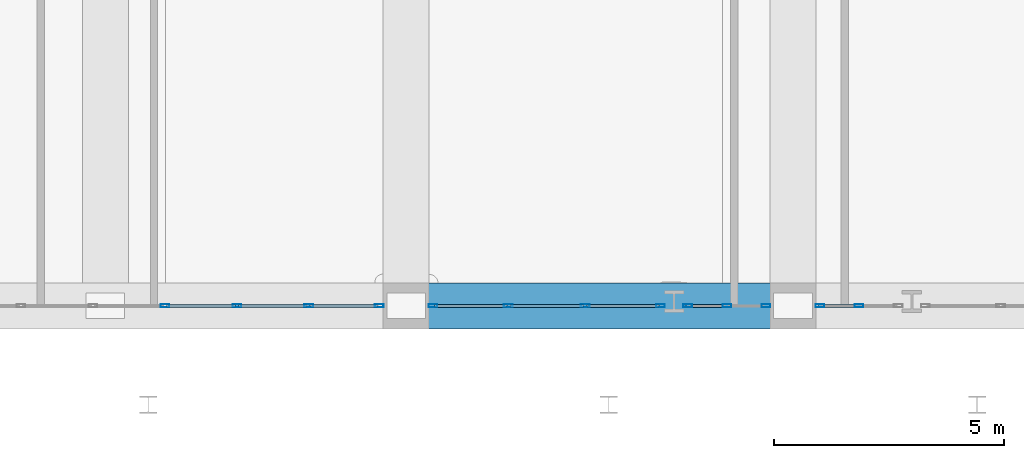
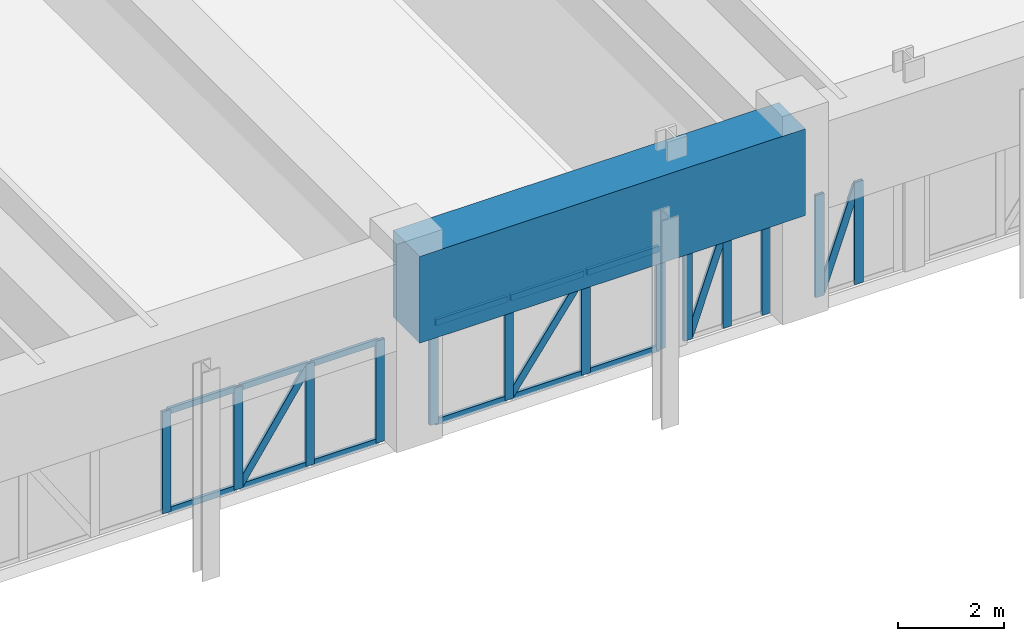
# One storey, part 7 of 44: 29 members, 1 beam, 4 elements without a shape of their own.
"""IFC4 building model written with IfcOpenShell, lengths in metres."""

from ifc_helpers import new_model, si_unit, derived_unit, direction, frame, origin, origin_2d, place, context, subcontext, project, spatial, rectangle, hollow_rectangle, extrude, source, transform, mapped, material, layer, layer_set, material_profile, profile_set, type_object, element, aggregate, save


model = new_model("IFC4")

# Units and contexts
model_context = context("Model", 3, precision=1e-05, world=origin(), true_north=direction((0.0, 1.0)))
body_context = subcontext(model_context, "Body", "Model", "MODEL_VIEW")
ifc_project = project(units=[si_unit("LENGTHUNIT", "METRE"), si_unit("AREAUNIT", "SQUARE_METRE"), si_unit("VOLUMEUNIT", "CUBIC_METRE"), si_unit("PLANEANGLEUNIT", "RADIAN"), si_unit("MASSUNIT", "GRAM", prefix="KILO"), derived_unit("THERMALTRANSMITTANCEUNIT", [(si_unit("POWERUNIT", "WATT"), 1), (si_unit("LENGTHUNIT", "METRE"), -2), (si_unit("THERMODYNAMICTEMPERATUREUNIT", "KELVIN"), -1)])], contexts=[model_context])

# Site, building, storey
site_placement = place(None, origin())
site = spatial("IfcSite", under=ifc_project, at=site_placement, CompositionType="ELEMENT")
building_placement = place(site_placement, origin())
building = spatial("IfcBuilding", under=site, at=building_placement, Name="Korsvarv Bourse and Concert Hall", CompositionType="ELEMENT")
storey_placement = place(building_placement, frame((0.0, 0.0, 9.60009765625)))
storey = spatial("IfcBuildingStorey", under=building, at=storey_placement, Name="L02", CompositionType="ELEMENT", Elevation=9.60009765625)

# Beam
ifc_material_1 = material(Name="Concrete C60/75", Category="concrete")
ifc_material_profile_1 = material_profile(ifc_material_1, rectangle(XDim=1.0, YDim=2.0, at=origin_2d()), Name="RC-BM 1000x2000")
ifc_profile_set_1 = profile_set([ifc_material_profile_1], Name="Concrete C60/75")
beam_type = type_object("IfcBeamType", Name="BM-TR1", PredefinedType="BEAM", material=ifc_profile_set_1)
shared_shape_1 = source(origin(), body_context, "Body", "SweptSolid", [
    extrude(rectangle(XDim=1.0, YDim=2.0, at=origin_2d()), origin(), (0.0, 0.0, 1.0), 8.39990234375),
])
beam_placement = place(storey_placement, frame((27.60009765625, 3.0, 3.349853515625), z_axis=(1.0, 0.0, 0.0), x_axis=(0.0, 1.0, 0.0)))
element("IfcBeam", 1, at=beam_placement, inside=storey, type_object=beam_type, Name="L02 beam B-TR1", PredefinedType="BEAM", context=body_context, shape_type="MappedRepresentation", body=[
    mapped(shared_shape_1, transform((0.0, 0.0, 0.0), scale=1.0)),
])

# Curtain wall, members
ifc_material_2 = material(Name="Anodised aluminium and triple low-E glazing", Category="glass")
ifc_layer = layer(ifc_material_2, 0.239990234375)
ifc_layer_set = layer_set([ifc_layer], Name="Anodised aluminium and triple low-E glazing")
curtain_wall_type = type_object("IfcCurtainWallType", Name="CW-SYS-5", PredefinedType="NOTDEFINED", material=ifc_layer_set)
curtain_wall_1_placement = place(storey_placement, origin())
curtain_wall_1 = element("IfcCurtainWall", 2, at=curtain_wall_1_placement, inside=storey, type_object=curtain_wall_type, Name="L02 CW5 curtain wall CW-L02-S2", PredefinedType="NOTDEFINED")
ifc_material_3 = material(Name="Extruded aluminium EN AW-6063 T66", Category="aluminium")
ifc_material_profile_2 = material_profile(ifc_material_3, hollow_rectangle(XDim=0.070068359375, YDim=0.18994140625, WallThickness=0.0048828125, at=origin_2d()), Name="ALU-M 70x190")
ifc_profile_set_2 = profile_set([ifc_material_profile_2], Name="Extruded aluminium EN AW-6063 T66")
member_type_1 = type_object("IfcMemberType", Name="CWM-190", PredefinedType="MULLION", material=ifc_profile_set_2)
shared_shape_2 = source(origin(), body_context, "Body", "SweptSolid", [
    extrude(hollow_rectangle(XDim=0.070068359375, YDim=0.18994140625, WallThickness=0.0048828125, at=origin_2d()), origin(), (0.0, 0.0, 1.0), 2.349853515625),
])
member_1_placement = place(storey_placement, frame((22.362548828125, 3.0, 0.0), z_axis=(0.0, 0.0, 1.0), x_axis=(0.0, 1.0, 0.0)))
member_1 = element("IfcMember", 3, at=member_1_placement, type_object=member_type_1, Name="CW5 mullion 6", PredefinedType="MULLION", context=body_context, shape_type="MappedRepresentation", body=[
    mapped(shared_shape_2, transform((0.0, 0.0, 0.0), scale=1.0)),
])
member_2_placement = place(storey_placement, frame((23.925048828125, 3.0, 0.0), z_axis=(0.0, 0.0, 1.0), x_axis=(0.0, 1.0, 0.0)))
member_2 = element("IfcMember", 4, at=member_2_placement, type_object=member_type_1, Name="CW5 mullion 7", PredefinedType="MULLION", context=body_context, shape_type="MappedRepresentation", body=[
    mapped(shared_shape_2, transform((0.0, 0.0, 0.0), scale=1.0)),
])
member_3_placement = place(storey_placement, frame((25.487548828125, 3.0, 0.0), z_axis=(0.0, 0.0, 1.0), x_axis=(0.0, 1.0, 0.0)))
member_3 = element("IfcMember", 5, at=member_3_placement, type_object=member_type_1, Name="CW5 mullion 8", PredefinedType="MULLION", context=body_context, shape_type="MappedRepresentation", body=[
    mapped(shared_shape_2, transform((0.0, 0.0, 0.0), scale=1.0)),
])
member_4_placement = place(storey_placement, frame((27.014892578125, 3.0, 0.0), z_axis=(0.0, 0.0, 1.0), x_axis=(0.0, 1.0, 0.0)))
member_4 = element("IfcMember", 6, at=member_4_placement, type_object=member_type_1, Name="CW5 mullion 9", PredefinedType="MULLION", context=body_context, shape_type="MappedRepresentation", body=[
    mapped(shared_shape_2, transform((0.0, 0.0, 0.0), scale=1.0)),
])

curtain_wall_2_placement = place(storey_placement, origin())
curtain_wall_2 = element("IfcCurtainWall", 7, at=curtain_wall_2_placement, inside=storey, type_object=curtain_wall_type, Name="L02 CW5 curtain wall CW-L02-S3-1", PredefinedType="NOTDEFINED")
member_5_placement = place(storey_placement, frame((28.18505859375, 3.0, 0.0), z_axis=(0.0, 0.0, 1.0), x_axis=(0.0, 1.0, 0.0)))
member_5 = element("IfcMember", 8, at=member_5_placement, type_object=member_type_1, Name="CW5 mullion 1", PredefinedType="MULLION", context=body_context, shape_type="MappedRepresentation", body=[
    mapped(shared_shape_2, transform((0.0, 0.0, 0.0), scale=1.0)),
])
member_6_placement = place(storey_placement, frame((29.818603515625, 3.0, 0.0), z_axis=(0.0, 0.0, 1.0), x_axis=(0.0, 1.0, 0.0)))
member_6 = element("IfcMember", 9, at=member_6_placement, type_object=member_type_1, Name="CW5 mullion 2", PredefinedType="MULLION", context=body_context, shape_type="MappedRepresentation", body=[
    mapped(shared_shape_2, transform((0.0, 0.0, 0.0), scale=1.0)),
])
member_7_placement = place(storey_placement, frame((31.4873046875, 3.0, 0.0), z_axis=(0.0, 0.0, 1.0), x_axis=(0.0, 1.0, 0.0)))
member_7 = element("IfcMember", 10, at=member_7_placement, type_object=member_type_1, Name="CW5 mullion 3", PredefinedType="MULLION", context=body_context, shape_type="MappedRepresentation", body=[
    mapped(shared_shape_2, transform((0.0, 0.0, 0.0), scale=1.0)),
])
member_8_placement = place(storey_placement, frame((33.12109375, 3.0, 0.0), z_axis=(0.0, 0.0, 1.0), x_axis=(0.0, 1.0, 0.0)))
member_8 = element("IfcMember", 11, at=member_8_placement, type_object=member_type_1, Name="CW5 mullion 4", PredefinedType="MULLION", context=body_context, shape_type="MappedRepresentation", body=[
    mapped(shared_shape_2, transform((0.0, 0.0, 0.0), scale=1.0)),
])

curtain_wall_3_placement = place(storey_placement, origin())
curtain_wall_3 = element("IfcCurtainWall", 12, at=curtain_wall_3_placement, inside=storey, type_object=curtain_wall_type, Name="L02 CW5 curtain wall CW-L02-S3-2", PredefinedType="NOTDEFINED")
member_9_placement = place(storey_placement, frame((33.715087890625, 3.0, 0.0), z_axis=(0.0, 0.0, 1.0), x_axis=(0.0, 1.0, 0.0)))
member_9 = element("IfcMember", 13, at=member_9_placement, type_object=member_type_1, Name="CW5 mullion 1", PredefinedType="MULLION", context=body_context, shape_type="MappedRepresentation", body=[
    mapped(shared_shape_2, transform((0.0, 0.0, 0.0), scale=1.0)),
])
member_10_placement = place(storey_placement, frame((34.56494140625, 3.0, 0.0), z_axis=(0.0, 0.0, 1.0), x_axis=(0.0, 1.0, 0.0)))
member_10 = element("IfcMember", 14, at=member_10_placement, type_object=member_type_1, Name="CW5 mullion 2", PredefinedType="MULLION", context=body_context, shape_type="MappedRepresentation", body=[
    mapped(shared_shape_2, transform((0.0, 0.0, 0.0), scale=1.0)),
])
member_11_placement = place(storey_placement, frame((35.4150390625, 3.0, 0.0), z_axis=(0.0, 0.0, 1.0), x_axis=(0.0, 1.0, 0.0)))
member_11 = element("IfcMember", 15, at=member_11_placement, type_object=member_type_1, Name="CW5 mullion 3", PredefinedType="MULLION", context=body_context, shape_type="MappedRepresentation", body=[
    mapped(shared_shape_2, transform((0.0, 0.0, 0.0), scale=1.0)),
])

curtain_wall_4_placement = place(storey_placement, origin())
curtain_wall_4 = element("IfcCurtainWall", 16, at=curtain_wall_4_placement, inside=storey, type_object=curtain_wall_type, Name="L02 CW5 curtain wall CW-L02-S4-1", PredefinedType="NOTDEFINED")
member_12_placement = place(storey_placement, frame((36.5849609375, 3.0, 0.0), z_axis=(0.0, 0.0, 1.0), x_axis=(0.0, 1.0, 0.0)))
member_12 = element("IfcMember", 17, at=member_12_placement, type_object=member_type_1, Name="CW5 mullion 1", PredefinedType="MULLION", context=body_context, shape_type="MappedRepresentation", body=[
    mapped(shared_shape_2, transform((0.0, 0.0, 0.0), scale=1.0)),
])
member_13_placement = place(storey_placement, frame((37.43505859375, 3.0, 0.0), z_axis=(0.0, 0.0, 1.0), x_axis=(0.0, 1.0, 0.0)))
member_13 = element("IfcMember", 18, at=member_13_placement, type_object=member_type_1, Name="CW5 mullion 2", PredefinedType="MULLION", context=body_context, shape_type="MappedRepresentation", body=[
    mapped(shared_shape_2, transform((0.0, 0.0, 0.0), scale=1.0)),
])

# Member
ifc_material_profile_3 = material_profile(ifc_material_3, hollow_rectangle(XDim=0.06494140625, YDim=0.139892578125, WallThickness=0.00390625, at=origin_2d()), Name="ALU-T 65x140")
ifc_profile_set_3 = profile_set([ifc_material_profile_3], Name="Extruded aluminium EN AW-6063 T66")
member_type_2 = type_object("IfcMemberType", Name="CWT-140", PredefinedType="USERDEFINED", material=ifc_profile_set_3)
shared_shape_3 = source(origin(), body_context, "Body", "SweptSolid", [
    extrude(hollow_rectangle(XDim=0.06494140625, YDim=0.139892578125, WallThickness=0.00390625, at=origin_2d()), origin(), (0.0, 0.0, 1.0), 1.492431640625),
])
member_14_placement = place(storey_placement, frame((22.3974609375, 3.0, 0.032470703125), z_axis=(1.0, 0.0, 0.0), x_axis=(0.0, 1.0, 0.0)))
member_14 = element("IfcMember", 19, at=member_14_placement, type_object=member_type_2, Name="CW5 transom 6.1", ObjectType="TRANSOM", PredefinedType="USERDEFINED", context=body_context, shape_type="MappedRepresentation", body=[
    mapped(shared_shape_3, transform((0.0, 0.0, 0.0), scale=1.0)),
])

member_15_placement = place(storey_placement, frame((22.3974609375, 3.0, 2.3173828125), z_axis=(1.0, 0.0, 0.0), x_axis=(0.0, 1.0, 0.0)))
member_15 = element("IfcMember", 20, at=member_15_placement, type_object=member_type_2, Name="CW5 transom 6.2", ObjectType="TRANSOM", PredefinedType="USERDEFINED", context=body_context, shape_type="MappedRepresentation", body=[
    mapped(shared_shape_3, transform((0.0, 0.0, 0.0), scale=1.0)),
])

member_16_placement = place(storey_placement, frame((23.9599609375, 3.0, 0.032470703125), z_axis=(1.0, 0.0, 0.0), x_axis=(0.0, 1.0, 0.0)))
member_16 = element("IfcMember", 21, at=member_16_placement, type_object=member_type_2, Name="CW5 transom 7.1", ObjectType="TRANSOM", PredefinedType="USERDEFINED", context=body_context, shape_type="MappedRepresentation", body=[
    mapped(shared_shape_3, transform((0.0, 0.0, 0.0), scale=1.0)),
])

member_17_placement = place(storey_placement, frame((23.9599609375, 3.0, 2.3173828125), z_axis=(1.0, 0.0, 0.0), x_axis=(0.0, 1.0, 0.0)))
member_17 = element("IfcMember", 22, at=member_17_placement, type_object=member_type_2, Name="CW5 transom 7.2", ObjectType="TRANSOM", PredefinedType="USERDEFINED", context=body_context, shape_type="MappedRepresentation", body=[
    mapped(shared_shape_3, transform((0.0, 0.0, 0.0), scale=1.0)),
])

ifc_material_profile_4 = material_profile(ifc_material_3, hollow_rectangle(XDim=0.06494140625, YDim=0.1650390625, WallThickness=0.0048828125, at=origin_2d()), Name="ALU-M 65x165")
ifc_profile_set_4 = profile_set([ifc_material_profile_4], Name="Extruded aluminium EN AW-6063 T66")
member_type_3 = type_object("IfcMemberType", Name="CWM-165", PredefinedType="MULLION", material=ifc_profile_set_4)
shared_shape_4 = source(origin(), body_context, "Body", "SweptSolid", [
    extrude(hollow_rectangle(XDim=0.06494140625, YDim=0.1650390625, WallThickness=0.0048828125, at=origin_2d()), origin(), (0.0, 0.0, 1.0), 2.675048828125),
])
member_18_placement = place(storey_placement, frame((23.9599609375, 3.0, 0.06494140625), z_axis=(0.557918482421, 0.0, 0.829895756691), x_axis=(0.0, 1.0, 0.0)))
member_18 = element("IfcMember", 23, at=member_18_placement, type_object=member_type_3, Name="CW5 diagonal mullion 7", PredefinedType="MULLION", context=body_context, shape_type="MappedRepresentation", body=[
    mapped(shared_shape_4, transform((0.0, 0.0, 0.0), scale=1.0)),
])

shared_shape_5 = source(origin(), body_context, "Body", "SweptSolid", [
    extrude(hollow_rectangle(XDim=0.06494140625, YDim=0.139892578125, WallThickness=0.00390625, at=origin_2d()), origin(), (0.0, 0.0, 1.0), 1.45751953125),
])
member_19_placement = place(storey_placement, frame((25.5224609375, 3.0, 0.032470703125), z_axis=(1.0, 0.0, 0.0), x_axis=(0.0, 1.0, 0.0)))
member_19 = element("IfcMember", 24, at=member_19_placement, type_object=member_type_2, Name="CW5 transom 8.1", ObjectType="TRANSOM", PredefinedType="USERDEFINED", context=body_context, shape_type="MappedRepresentation", body=[
    mapped(shared_shape_5, transform((0.0, 0.0, 0.0), scale=1.0)),
])

member_20_placement = place(storey_placement, frame((25.5224609375, 3.0, 2.3173828125), z_axis=(1.0, 0.0, 0.0), x_axis=(0.0, 1.0, 0.0)))
member_20 = element("IfcMember", 25, at=member_20_placement, type_object=member_type_2, Name="CW5 transom 8.2", ObjectType="TRANSOM", PredefinedType="USERDEFINED", context=body_context, shape_type="MappedRepresentation", body=[
    mapped(shared_shape_5, transform((0.0, 0.0, 0.0), scale=1.0)),
])

aggregate(curtain_wall_1, [member_1, member_2, member_3, member_4, member_14, member_15, member_16, member_17, member_18, member_19, member_20])

shared_shape_6 = source(origin(), body_context, "Body", "SweptSolid", [
    extrude(hollow_rectangle(XDim=0.06494140625, YDim=0.139892578125, WallThickness=0.00390625, at=origin_2d()), origin(), (0.0, 0.0, 1.0), 1.563720703125),
])
member_21_placement = place(storey_placement, frame((28.219970703125, 3.0, 0.032470703125), z_axis=(1.0, 0.0, 0.0), x_axis=(0.0, 1.0, 0.0)))
member_21 = element("IfcMember", 26, at=member_21_placement, type_object=member_type_2, Name="CW5 transom 1.1", ObjectType="TRANSOM", PredefinedType="USERDEFINED", context=body_context, shape_type="MappedRepresentation", body=[
    mapped(shared_shape_6, transform((0.0, 0.0, 0.0), scale=1.0)),
])

member_22_placement = place(storey_placement, frame((28.219970703125, 3.0, 2.3173828125), z_axis=(1.0, 0.0, 0.0), x_axis=(0.0, 1.0, 0.0)))
member_22 = element("IfcMember", 27, at=member_22_placement, type_object=member_type_2, Name="CW5 transom 1.2", ObjectType="TRANSOM", PredefinedType="USERDEFINED", context=body_context, shape_type="MappedRepresentation", body=[
    mapped(shared_shape_6, transform((0.0, 0.0, 0.0), scale=1.0)),
])

member_23_placement = place(storey_placement, frame((31.5224609375, 3.0, 0.032470703125), z_axis=(1.0, 0.0, 0.0), x_axis=(0.0, 1.0, 0.0)))
member_23 = element("IfcMember", 28, at=member_23_placement, type_object=member_type_2, Name="CW5 transom 3.1", ObjectType="TRANSOM", PredefinedType="USERDEFINED", context=body_context, shape_type="MappedRepresentation", body=[
    mapped(shared_shape_6, transform((0.0, 0.0, 0.0), scale=1.0)),
])

member_24_placement = place(storey_placement, frame((31.5224609375, 3.0, 2.3173828125), z_axis=(1.0, 0.0, 0.0), x_axis=(0.0, 1.0, 0.0)))
member_24 = element("IfcMember", 29, at=member_24_placement, type_object=member_type_2, Name="CW5 transom 3.2", ObjectType="TRANSOM", PredefinedType="USERDEFINED", context=body_context, shape_type="MappedRepresentation", body=[
    mapped(shared_shape_6, transform((0.0, 0.0, 0.0), scale=1.0)),
])

shared_shape_7 = source(origin(), body_context, "Body", "SweptSolid", [
    extrude(hollow_rectangle(XDim=0.06494140625, YDim=0.139892578125, WallThickness=0.00390625, at=origin_2d()), origin(), (0.0, 0.0, 1.0), 1.5986328125),
])
member_25_placement = place(storey_placement, frame((29.853759765625, 3.0, 0.032470703125), z_axis=(1.0, 0.0, 0.0), x_axis=(0.0, 1.0, 0.0)))
member_25 = element("IfcMember", 30, at=member_25_placement, type_object=member_type_2, Name="CW5 transom 2.1", ObjectType="TRANSOM", PredefinedType="USERDEFINED", context=body_context, shape_type="MappedRepresentation", body=[
    mapped(shared_shape_7, transform((0.0, 0.0, 0.0), scale=1.0)),
])

member_26_placement = place(storey_placement, frame((29.853759765625, 3.0, 2.3173828125), z_axis=(1.0, 0.0, 0.0), x_axis=(0.0, 1.0, 0.0)))
member_26 = element("IfcMember", 31, at=member_26_placement, type_object=member_type_2, Name="CW5 transom 2.2", ObjectType="TRANSOM", PredefinedType="USERDEFINED", context=body_context, shape_type="MappedRepresentation", body=[
    mapped(shared_shape_7, transform((0.0, 0.0, 0.0), scale=1.0)),
])

shared_shape_8 = source(origin(), body_context, "Body", "SweptSolid", [
    extrude(hollow_rectangle(XDim=0.06494140625, YDim=0.1650390625, WallThickness=0.0048828125, at=origin_2d()), origin(), (0.0, 0.0, 1.0), 2.735595703125),
])
member_27_placement = place(storey_placement, frame((29.853759765625, 3.0, 0.06494140625), z_axis=(0.584365849811, 0.0, 0.811490328701), x_axis=(0.0, 1.0, 0.0)))
member_27 = element("IfcMember", 32, at=member_27_placement, type_object=member_type_3, Name="CW5 diagonal mullion 2", PredefinedType="MULLION", context=body_context, shape_type="MappedRepresentation", body=[
    mapped(shared_shape_8, transform((0.0, 0.0, 0.0), scale=1.0)),
])

aggregate(curtain_wall_2, [member_5, member_6, member_7, member_8, member_21, member_22, member_25, member_26, member_27, member_23, member_24])

shared_shape_9 = source(origin(), body_context, "Body", "SweptSolid", [
    extrude(hollow_rectangle(XDim=0.06494140625, YDim=0.1650390625, WallThickness=0.0048828125, at=origin_2d()), origin(), (0.0, 0.0, 1.0), 2.35302734375),
])
member_28_placement = place(storey_placement, frame((33.75, 3.0, 0.06494140625), z_axis=(0.331500971479, 0.0, 0.943454877516), x_axis=(0.0, 1.0, 0.0)))
member_28 = element("IfcMember", 33, at=member_28_placement, type_object=member_type_3, Name="CW5 diagonal mullion 1", PredefinedType="MULLION", context=body_context, shape_type="MappedRepresentation", body=[
    mapped(shared_shape_9, transform((0.0, 0.0, 0.0), scale=1.0)),
])

aggregate(curtain_wall_3, [member_9, member_10, member_11, member_28])

member_29_placement = place(storey_placement, frame((36.6201171875, 3.0, 0.06494140625), z_axis=(0.331408612608, 0.0, 0.943487324498), x_axis=(0.0, 1.0, 0.0)))
member_29 = element("IfcMember", 34, at=member_29_placement, type_object=member_type_3, Name="CW5 diagonal mullion 1", PredefinedType="MULLION", context=body_context, shape_type="MappedRepresentation", body=[
    mapped(shared_shape_9, transform((0.0, 0.0, 0.0), scale=1.0)),
])

aggregate(curtain_wall_4, [member_12, member_13, member_29])

save(model, "model.ifc")
